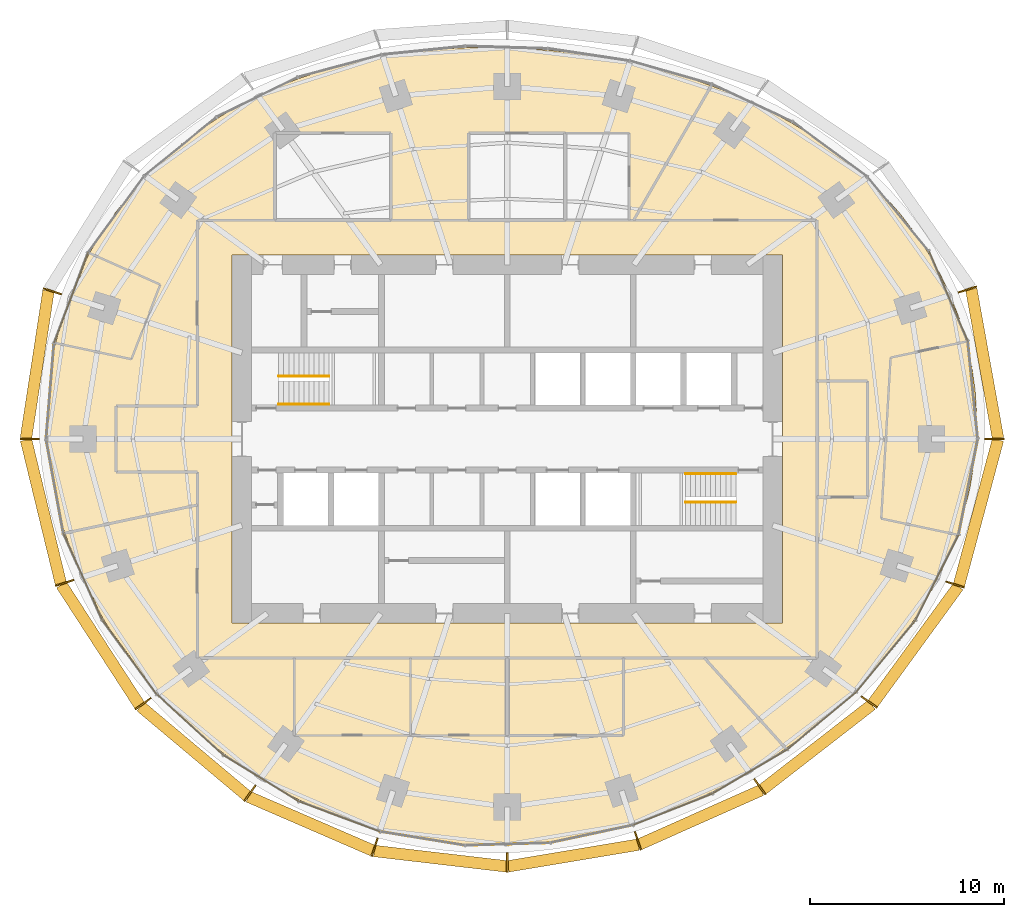
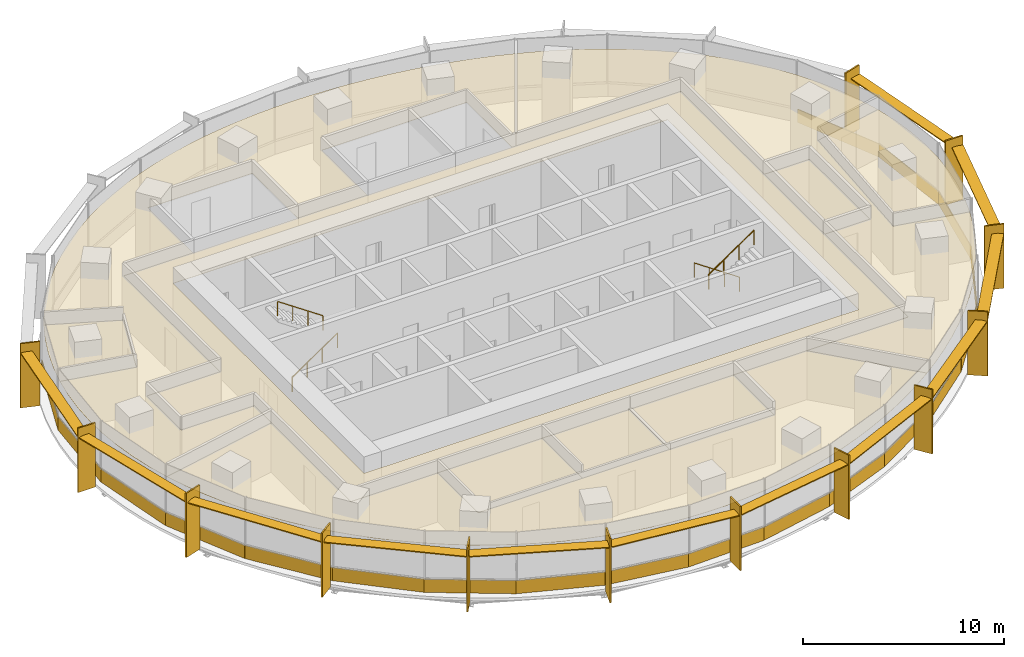
# One storey, part 13 of 14: 29 coverings, 25 shading devices, 4 railings.
"""IFC4 building model written with IfcOpenShell, lengths in metres."""

from ifc_helpers import new_model, si_unit, direction, frame, origin, origin_2d, place, context, subcontext, project, spatial, polyline, rectangle, circle, outline, extrude, material, layer, layer_set, type_object, element, save


model = new_model("IFC4")

# Units and contexts
model_context = context("Model", 3, precision=1e-05, world=origin(), true_north=direction((0.0, 1.0)))
body_context = subcontext(model_context, "Body", "Model", "MODEL_VIEW")
ifc_project = project(units=[si_unit("LENGTHUNIT", "METRE"), si_unit("AREAUNIT", "SQUARE_METRE"), si_unit("VOLUMEUNIT", "CUBIC_METRE"), si_unit("PLANEANGLEUNIT", "RADIAN"), si_unit("MASSUNIT", "GRAM", prefix="KILO")], contexts=[model_context])

# Site, building, storey
site_placement = place(None, origin())
site = spatial("IfcSite", under=ifc_project, at=site_placement, CompositionType="ELEMENT")
building_placement = place(site_placement, origin())
building = spatial("IfcBuilding", under=site, at=building_placement, Name="Marramba Exchange Tower", CompositionType="ELEMENT")
storey_placement = place(building_placement, frame((0.0, 0.0, 195.5)))
storey = spatial("IfcBuildingStorey", under=building, at=storey_placement, Name="L47", CompositionType="ELEMENT", Elevation=195.5)

# Shading devices
ifc_material_1 = material(Name="Aluminium blade, timber-look bronze finish", Category="wood")
ifc_layer_1 = layer(ifc_material_1, 0.080078125)
ifc_layer_set_1 = layer_set([ifc_layer_1], Name="Floor-edge blade 1000x80")
shading_device_type_1 = type_object("IfcShadingDeviceType", Name="Floor-edge blade 1000x80", PredefinedType="USERDEFINED", material=ifc_layer_set_1)
for number, where, z_axis, x_axis, name in (
    (1, (25.14404296875, 0.0, -0.159912109375), (0.0, 0.0, 1.0), (1.0, 0.0, 0.0), "Floor-edge blade FB1 L47 TC01"),
    (2, (23.757080078125, 7.718994140625, -0.159912109375), (0.0, 0.0, 1.0), (0.951056516295, 0.309016994375, 0.0), "Floor-edge blade FB1 L47 TC02"),
    (3, (-23.488525390625, 7.6318359375, -0.159912109375), (0.0, 0.0, 1.0), (-0.951056516295, 0.309016994375, 0.0), "Floor-edge blade FB1 L47 TC10"),
    (4, (-24.656005859375, 0.0, -0.159912109375), (0.0, 0.0, 1.0), (-1.0, 0.0, 0.0), "Floor-edge blade FB1 L47 TC11"),
    (5, (-22.848876953125, -7.424072265625, -0.159912109375), (0.0, 0.0, 1.0), (-0.951056516295, -0.309016994375, 0.0), "Floor-edge blade FB1 L47 TC12"),
    (6, (-18.7998046875, -13.658935546875, -0.159912109375), (0.0, 0.0, 1.0), (-0.809016994375, -0.587785252292, 0.0), "Floor-edge blade FB1 L47 TC13"),
    (7, (-13.2841796875, -18.2841796875, -0.159912109375), (0.0, 0.0, 1.0), (-0.587785252292, -0.809016994375, 0.0), "Floor-edge blade FB1 L47 TC14"),
    (8, (-6.845703125, -21.069091796875, -0.159912109375), (0.0, 0.0, 1.0), (-0.309016994375, -0.951056516295, 0.0), "Floor-edge blade FB1 L47 TC15"),
    (9, (0.0, -21.86376953125, -0.159912109375), (0.0, 0.0, 1.0), (0.0, -1.0, 0.0), "Floor-edge blade FB1 L47 TC16"),
    (10, (6.739501953125, -20.741943359375, -0.159912109375), (0.0, 0.0, 1.0), (0.309016994375, -0.951056516295, 0.0), "Floor-edge blade FB1 L47 TC17"),
    (11, (13.0380859375, -17.9453125, -0.159912109375), (0.0, 0.0, 1.0), (0.587785252292, -0.809016994375, 0.0), "Floor-edge blade FB1 L47 TC18"),
    (12, (18.6845703125, -13.5751953125, -0.159912109375), (0.0, 0.0, 1.0), (0.809016994375, -0.587785252292, 0.0), "Floor-edge blade FB1 L47 TC19"),
    (13, (23.1171875, -7.51123046875, -0.159912109375), (0.0, 0.0, 1.0), (0.951056516295, -0.309016994375, 0.0), "Floor-edge blade FB1 L47 TC20"),
):
    element("IfcShadingDevice", number, at=place(storey_placement, frame(where, z_axis=z_axis, x_axis=x_axis)), inside=storey, type_object=shading_device_type_1, Name=name, ObjectType="FIN", PredefinedType="USERDEFINED", context=body_context, shape_type="SweptSolid", body=[
        extrude(rectangle(XDim=1.0, YDim=0.080078125, at=origin_2d()), origin(), (0.0, 0.0, 1.0), 3.89990234375),
    ])
ifc_material_2 = material(Name="Aluminium sunshade, bronze anodised", Category="aluminium")
ifc_layer_2 = layer(ifc_material_2, 0.06005859375)
ifc_layer_set_2 = layer_set([ifc_layer_2], Name="SUNSHADE blade 600x60")
shading_device_type_2 = type_object("IfcShadingDeviceType", Name="SUNSHADE blade 600x60", PredefinedType="USERDEFINED", material=ifc_layer_set_2)
shading_device_1_placement = place(storey_placement, frame((24.6455078125, 3.890380859375, 3.159912109375), z_axis=(0.0, 0.0, 1.0), x_axis=(-0.176690623809, 0.984266439262, 0.0)))
element("IfcShadingDevice", 14, at=shading_device_1_placement, inside=storey, type_object=shading_device_type_2, Name="Sunshade SS1 L47 bay 01", ObjectType="SUNSHADE", PredefinedType="USERDEFINED", context=body_context, shape_type="SweptSolid", body=[
    extrude(rectangle(XDim=7.8251953125, YDim=0.60009765625, at=origin_2d()), origin(), (0.0, 0.0, 1.0), 0.06005859375),
])
shading_device_2_placement = place(storey_placement, frame((-24.267333984375, 3.846923828125, 3.159912109375), z_axis=(0.0, 0.0, 1.0), x_axis=(-0.151240669327, -0.988496970123, 0.0)))
element("IfcShadingDevice", 15, at=shading_device_2_placement, inside=storey, type_object=shading_device_type_2, Name="Sunshade SS1 L47 bay 10", ObjectType="SUNSHADE", PredefinedType="USERDEFINED", context=body_context, shape_type="SweptSolid", body=[
    extrude(rectangle(XDim=7.703369140625, YDim=0.60009765625, at=origin_2d()), origin(), (0.0, 0.0, 1.0), 0.06005859375),
])
shading_device_3_placement = place(storey_placement, frame((-23.947509765625, -3.742919921875, 3.159912109375), z_axis=(0.0, 0.0, 1.0), x_axis=(0.235861488454, -0.971786683519, 0.0)))
element("IfcShadingDevice", 16, at=shading_device_3_placement, inside=storey, type_object=shading_device_type_2, Name="Sunshade SS1 L47 bay 11", ObjectType="SUNSHADE", PredefinedType="USERDEFINED", context=body_context, shape_type="SweptSolid", body=[
    extrude(rectangle(XDim=7.623291015625, YDim=0.60009765625, at=origin_2d()), origin(), (0.0, 0.0, 1.0), 0.06005859375),
])
shading_device_4_placement = place(storey_placement, frame((-21.000244140625, -10.631103515625, 3.159912109375), z_axis=(0.0, 0.0, 1.0), x_axis=(0.543921771105, -0.839135928749, 0.0)))
element("IfcShadingDevice", 17, at=shading_device_4_placement, inside=storey, type_object=shading_device_type_2, Name="Sunshade SS1 L47 bay 12", ObjectType="SUNSHADE", PredefinedType="USERDEFINED", context=body_context, shape_type="SweptSolid", body=[
    extrude(rectangle(XDim=7.41650390625, YDim=0.60009765625, at=origin_2d()), origin(), (0.0, 0.0, 1.0), 0.06005859375),
])
shading_device_5_placement = place(storey_placement, frame((-16.181640625, -16.111083984375, 3.159912109375), z_axis=(0.0, 0.0, 1.0), x_axis=(0.765761970568, -0.643124097225, 0.0)))
element("IfcShadingDevice", 18, at=shading_device_5_placement, inside=storey, type_object=shading_device_type_2, Name="Sunshade SS1 L47 bay 13", ObjectType="SUNSHADE", PredefinedType="USERDEFINED", context=body_context, shape_type="SweptSolid", body=[
    extrude(rectangle(XDim=7.1806640625, YDim=0.60009765625, at=origin_2d()), origin(), (0.0, 0.0, 1.0), 0.06005859375),
])
shading_device_6_placement = place(storey_placement, frame((-10.154541015625, -19.8525390625, 3.159912109375), z_axis=(0.0, 0.0, 1.0), x_axis=(0.917589256742, -0.397529817639, 0.0)))
element("IfcShadingDevice", 19, at=shading_device_6_placement, inside=storey, type_object=shading_device_type_2, Name="Sunshade SS1 L47 bay 14", ObjectType="SUNSHADE", PredefinedType="USERDEFINED", context=body_context, shape_type="SweptSolid", body=[
    extrude(rectangle(XDim=6.997314453125, YDim=0.60009765625, at=origin_2d()), origin(), (0.0, 0.0, 1.0), 0.06005859375),
])
shading_device_7_placement = place(storey_placement, frame((-3.453857421875, -21.66162109375, 3.159912109375), z_axis=(0.0, 0.0, 1.0), x_axis=(0.993288257497, -0.1156651958, 0.0)))
element("IfcShadingDevice", 20, at=shading_device_7_placement, inside=storey, type_object=shading_device_type_2, Name="Sunshade SS1 L47 bay 15", ObjectType="SUNSHADE", PredefinedType="USERDEFINED", context=body_context, shape_type="SweptSolid", body=[
    extrude(rectangle(XDim=6.874267578125, YDim=0.60009765625, at=origin_2d()), origin(), (0.0, 0.0, 1.0), 0.06005859375),
])
shading_device_8_placement = place(storey_placement, frame((3.400634765625, -21.498046875, 3.159912109375), z_axis=(0.0, 0.0, 1.0), x_axis=(0.986439622954, 0.164124557168, 0.0)))
element("IfcShadingDevice", 21, at=shading_device_8_placement, inside=storey, type_object=shading_device_type_2, Name="Sunshade SS1 L47 bay 16", ObjectType="SUNSHADE", PredefinedType="USERDEFINED", context=body_context, shape_type="SweptSolid", body=[
    extrude(rectangle(XDim=6.814697265625, YDim=0.60009765625, at=origin_2d()), origin(), (0.0, 0.0, 1.0), 0.06005859375),
])
shading_device_9_placement = place(storey_placement, frame((9.978515625, -19.519775390625, 3.159912109375), z_axis=(0.0, 0.0, 1.0), x_axis=(0.913771678576, 0.406228161792, 0.0)))
element("IfcShadingDevice", 22, at=shading_device_9_placement, inside=storey, type_object=shading_device_type_2, Name="Sunshade SS1 L47 bay 17", ObjectType="SUNSHADE", PredefinedType="USERDEFINED", context=body_context, shape_type="SweptSolid", body=[
    extrude(rectangle(XDim=6.8740234375, YDim=0.60009765625, at=origin_2d()), origin(), (0.0, 0.0, 1.0), 0.06005859375),
])
shading_device_10_placement = place(storey_placement, frame((16.0009765625, -15.89990234375, 3.159912109375), z_axis=(0.0, 0.0, 1.0), x_axis=(0.790133082515, 0.612935324414, 0.0)))
element("IfcShadingDevice", 23, at=shading_device_10_placement, inside=storey, type_object=shading_device_type_2, Name="Sunshade SS1 L47 bay 18", ObjectType="SUNSHADE", PredefinedType="USERDEFINED", context=body_context, shape_type="SweptSolid", body=[
    extrude(rectangle(XDim=7.122314453125, YDim=0.60009765625, at=origin_2d()), origin(), (0.0, 0.0, 1.0), 0.06005859375),
])
shading_device_11_placement = place(storey_placement, frame((21.076904296875, -10.6328125, 3.159912109375), z_axis=(0.0, 0.0, 1.0), x_axis=(0.589071758439, 0.808080728275, 0.0)))
element("IfcShadingDevice", 24, at=shading_device_11_placement, inside=storey, type_object=shading_device_type_2, Name="Sunshade SS1 L47 bay 19", ObjectType="SUNSHADE", PredefinedType="USERDEFINED", context=body_context, shape_type="SweptSolid", body=[
    extrude(rectangle(XDim=7.4931640625, YDim=0.60009765625, at=origin_2d()), origin(), (0.0, 0.0, 1.0), 0.06005859375),
])
shading_device_12_placement = place(storey_placement, frame((24.32568359375, -3.78662109375, 3.159912109375), z_axis=(0.0, 0.0, 1.0), x_axis=(0.259692365654, 0.965691397508, 0.0)))
element("IfcShadingDevice", 25, at=shading_device_12_placement, inside=storey, type_object=shading_device_type_2, Name="Sunshade SS1 L47 bay 20", ObjectType="SUNSHADE", PredefinedType="USERDEFINED", context=body_context, shape_type="SweptSolid", body=[
    extrude(rectangle(XDim=7.76220703125, YDim=0.60009765625, at=origin_2d()), origin(), (0.0, 0.0, 1.0), 0.06005859375),
])

# Coverings
ifc_material_3 = material(Name="Aluminium spandrel panel, bronze anodised, insulated", Category="aluminium")
ifc_layer_3 = layer(ifc_material_3, 0.050048828125)
ifc_layer_set_3 = layer_set([ifc_layer_3], Name="Spandrel panel 800")
covering_type_1 = type_object("IfcCoveringType", Name="Spandrel panel 800", PredefinedType="CLADDING", material=ifc_layer_set_3)
covering_1_placement = place(storey_placement, frame((24.036376953125, 2.527099609375, 0.0), z_axis=(0.0, 0.0, 1.0), x_axis=(-0.101422478545, 0.994843445395, 0.0)))
element("IfcCovering", 26, at=covering_1_placement, inside=storey, type_object=covering_type_1, Name="Spandrel panel SP1 L47 F01", PredefinedType="CLADDING", context=body_context, shape_type="SweptSolid", body=[
    extrude(rectangle(XDim=5.08056640625, YDim=0.050048828125, at=origin_2d()), origin(), (0.0, 0.0, 1.0), 0.800048828125),
])
covering_2_placement = place(storey_placement, frame((22.77734375, 7.374755859375, 0.0), z_axis=(0.0, 0.0, 1.0), x_axis=(-0.396193349205, 0.918167103552, 0.0)))
element("IfcCovering", 27, at=covering_2_placement, inside=storey, type_object=covering_type_1, Name="Spandrel panel SP1 L47 F02", PredefinedType="CLADDING", context=body_context, shape_type="SweptSolid", body=[
    extrude(rectangle(XDim=5.0546875, YDim=0.050048828125, at=origin_2d()), origin(), (0.0, 0.0, 1.0), 0.800048828125),
])
covering_3_placement = place(storey_placement, frame((-22.518798828125, 7.30419921875, 0.0), z_axis=(0.0, 0.0, 1.0), x_axis=(-0.351951514464, -0.936018232443, 0.0)))
element("IfcCovering", 28, at=covering_3_placement, inside=storey, type_object=covering_type_1, Name="Spandrel panel SP1 L47 F14", PredefinedType="CLADDING", context=body_context, shape_type="SweptSolid", body=[
    extrude(rectangle(XDim=4.981689453125, YDim=0.050048828125, at=origin_2d()), origin(), (0.0, 0.0, 1.0), 0.800048828125),
])
covering_4_placement = place(storey_placement, frame((-23.600830078125, 2.486328125, 0.0), z_axis=(0.0, 0.0, 1.0), x_axis=(-0.082280881776, -0.996609179415, 0.0)))
element("IfcCovering", 29, at=covering_4_placement, inside=storey, type_object=covering_type_1, Name="Spandrel panel SP1 L47 F15", PredefinedType="CLADDING", context=body_context, shape_type="SweptSolid", body=[
    extrude(rectangle(XDim=4.98974609375, YDim=0.050048828125, at=origin_2d()), origin(), (0.0, 0.0, 1.0), 0.800048828125),
])
covering_5_placement = place(storey_placement, frame((-23.359619140625, -2.43505859375, 0.0), z_axis=(0.0, 0.0, 1.0), x_axis=(0.180327442841, -0.983606635479, 0.0)))
element("IfcCovering", 30, at=covering_5_placement, inside=storey, type_object=covering_type_1, Name="Spandrel panel SP1 L47 F16", PredefinedType="CLADDING", context=body_context, shape_type="SweptSolid", body=[
    extrude(rectangle(XDim=4.951416015625, YDim=0.050048828125, at=origin_2d()), origin(), (0.0, 0.0, 1.0), 0.800048828125),
])
covering_6_placement = place(storey_placement, frame((-21.920654296875, -7.093994140625, 0.0), z_axis=(0.0, 0.0, 1.0), x_axis=(0.407557582153, -0.913179509861, 0.0)))
element("IfcCovering", 31, at=covering_6_placement, inside=storey, type_object=covering_type_1, Name="Spandrel panel SP1 L47 F17", PredefinedType="CLADDING", context=body_context, shape_type="SweptSolid", body=[
    extrude(rectangle(XDim=4.870361328125, YDim=0.050048828125, at=origin_2d()), origin(), (0.0, 0.0, 1.0), 0.800048828125),
])
covering_7_placement = place(storey_placement, frame((-19.520263671875, -11.238525390625, 0.0), z_axis=(0.0, 0.0, 1.0), x_axis=(0.591223097085, -0.80650805915, 0.0)))
element("IfcCovering", 32, at=covering_7_placement, inside=storey, type_object=covering_type_1, Name="Spandrel panel SP1 L47 F18", PredefinedType="CLADDING", context=body_context, shape_type="SweptSolid", body=[
    extrude(rectangle(XDim=4.762939453125, YDim=0.050048828125, at=origin_2d()), origin(), (0.0, 0.0, 1.0), 0.800048828125),
])
covering_8_placement = place(storey_placement, frame((-16.396240234375, -14.73193359375, 0.0), z_axis=(0.0, 0.0, 1.0), x_axis=(0.737203259599, -0.67567103981, 0.0)))
element("IfcCovering", 33, at=covering_8_placement, inside=storey, type_object=covering_type_1, Name="Spandrel panel SP1 L47 F19", PredefinedType="CLADDING", context=body_context, shape_type="SweptSolid", body=[
    extrude(rectangle(XDim=4.65478515625, YDim=0.050048828125, at=origin_2d()), origin(), (0.0, 0.0, 1.0), 0.800048828125),
])
covering_9_placement = place(storey_placement, frame((-12.73583984375, -17.497802734375, 0.0), z_axis=(0.0, 0.0, 1.0), x_axis=(0.852301010692, -0.52305161043, 0.0)))
element("IfcCovering", 34, at=covering_9_placement, inside=storey, type_object=covering_type_1, Name="Spandrel panel SP1 L47 F20", PredefinedType="CLADDING", context=body_context, shape_type="SweptSolid", body=[
    extrude(rectangle(XDim=4.563232421875, YDim=0.050048828125, at=origin_2d()), origin(), (0.0, 0.0, 1.0), 0.800048828125),
])
covering_10_placement = place(storey_placement, frame((-8.687255859375, -19.47607421875, 0.0), z_axis=(0.0, 0.0, 1.0), x_axis=(0.936951581946, -0.349459200892, 0.0)))
element("IfcCovering", 35, at=covering_10_placement, inside=storey, type_object=covering_type_1, Name="Spandrel panel SP1 L47 F21", PredefinedType="CLADDING", context=body_context, shape_type="SweptSolid", body=[
    extrude(rectangle(XDim=4.491455078125, YDim=0.050048828125, at=origin_2d()), origin(), (0.0, 0.0, 1.0), 0.800048828125),
])
covering_11_placement = place(storey_placement, frame((-4.393798828125, -20.6181640625, 0.0), z_axis=(0.0, 0.0, 1.0), x_axis=(0.98693062179, -0.161145734582, 0.0)))
element("IfcCovering", 36, at=covering_11_placement, inside=storey, type_object=covering_type_1, Name="Spandrel panel SP1 L47 F22", PredefinedType="CLADDING", context=body_context, shape_type="SweptSolid", body=[
    extrude(rectangle(XDim=4.4365234375, YDim=0.050048828125, at=origin_2d()), origin(), (0.0, 0.0, 1.0), 0.800048828125),
])
covering_12_placement = place(storey_placement, frame((-0.0068359375, -20.9111328125, 0.0), z_axis=(0.0, 0.0, 1.0), x_axis=(0.99956791932, 0.02939344597, 0.0)))
element("IfcCovering", 37, at=covering_12_placement, inside=storey, type_object=covering_type_1, Name="Spandrel panel SP1 L47 F23", PredefinedType="CLADDING", context=body_context, shape_type="SweptSolid", body=[
    extrude(rectangle(XDim=4.3974609375, YDim=0.050048828125, at=origin_2d()), origin(), (0.0, 0.0, 1.0), 0.800048828125),
])
covering_13_placement = place(storey_placement, frame((4.333984375, -20.389892578125, 0.0), z_axis=(0.0, 0.0, 1.0), x_axis=(0.978058068956, 0.208332459664, 0.0)))
element("IfcCovering", 38, at=covering_13_placement, inside=storey, type_object=covering_type_1, Name="Spandrel panel SP1 L47 F24", PredefinedType="CLADDING", context=body_context, shape_type="SweptSolid", body=[
    extrude(rectangle(XDim=4.3818359375, YDim=0.050048828125, at=origin_2d()), origin(), (0.0, 0.0, 1.0), 0.800048828125),
])
covering_14_placement = place(storey_placement, frame((8.525390625, -19.124267578125, 0.0), z_axis=(0.0, 0.0, 1.0), x_axis=(0.93007301151, 0.367374731386, 0.0)))
element("IfcCovering", 39, at=covering_14_placement, inside=storey, type_object=covering_type_1, Name="Spandrel panel SP1 L47 F25", PredefinedType="CLADDING", context=body_context, shape_type="SweptSolid", body=[
    extrude(rectangle(XDim=4.405517578125, YDim=0.050048828125, at=origin_2d()), origin(), (0.0, 0.0, 1.0), 0.800048828125),
])
covering_15_placement = place(storey_placement, frame((12.50634765625, -17.175537109375, 0.0), z_axis=(0.0, 0.0, 1.0), x_axis=(0.861350829898, 0.508010578466, 0.0)))
element("IfcCovering", 40, at=covering_15_placement, inside=storey, type_object=covering_type_1, Name="Spandrel panel SP1 L47 F26", PredefinedType="CLADDING", context=body_context, shape_type="SweptSolid", body=[
    extrude(rectangle(XDim=4.486572265625, YDim=0.050048828125, at=origin_2d()), origin(), (0.0, 0.0, 1.0), 0.800048828125),
])
covering_16_placement = place(storey_placement, frame((16.2177734375, -14.5556640625, 0.0), z_axis=(0.0, 0.0, 1.0), x_axis=(0.768736803132, 0.639565264465, 0.0)))
element("IfcCovering", 41, at=covering_16_placement, inside=storey, type_object=covering_type_1, Name="Spandrel panel SP1 L47 F27", PredefinedType="CLADDING", context=body_context, shape_type="SweptSolid", body=[
    extrude(rectangle(XDim=4.628662109375, YDim=0.050048828125, at=origin_2d()), origin(), (0.0, 0.0, 1.0), 0.800048828125),
])
covering_17_placement = place(storey_placement, frame((19.529541015625, -11.2265625, 0.0), z_axis=(0.0, 0.0, 1.0), x_axis=(0.638149992226, 0.769912064733, 0.0)))
element("IfcCovering", 42, at=covering_17_placement, inside=storey, type_object=covering_type_1, Name="Spandrel panel SP1 L47 F28", PredefinedType="CLADDING", context=body_context, shape_type="SweptSolid", body=[
    extrude(rectangle(XDim=4.80322265625, YDim=0.050048828125, at=origin_2d()), origin(), (0.0, 0.0, 1.0), 0.800048828125),
])
covering_18_placement = place(storey_placement, frame((22.17919921875, -7.16455078125, 0.0), z_axis=(0.0, 0.0, 1.0), x_axis=(0.450673091404, 0.892689063832, 0.0)))
element("IfcCovering", 43, at=covering_18_placement, inside=storey, type_object=covering_type_1, Name="Spandrel panel SP1 L47 F29", PredefinedType="CLADDING", context=body_context, shape_type="SweptSolid", body=[
    extrude(rectangle(XDim=4.957763671875, YDim=0.050048828125, at=origin_2d()), origin(), (0.0, 0.0, 1.0), 0.800048828125),
])
covering_19_placement = place(storey_placement, frame((23.795166015625, -2.475830078125, 0.0), z_axis=(0.0, 0.0, 1.0), x_axis=(0.197495401381, 0.980303813332, 0.0)))
element("IfcCovering", 44, at=covering_19_placement, inside=storey, type_object=covering_type_1, Name="Spandrel panel SP1 L47 F30", PredefinedType="CLADDING", context=body_context, shape_type="SweptSolid", body=[
    extrude(rectangle(XDim=5.05126953125, YDim=0.050048828125, at=origin_2d()), origin(), (0.0, 0.0, 1.0), 0.800048828125),
])

# Railings
ifc_material_4 = material(Name="Stainless steel handrail", Category="steel")
railing_type = type_object("IfcRailingType", Name="Stair handrail 900", PredefinedType="HANDRAIL", material=ifc_material_4)
railing_1_placement = place(storey_placement, frame((-11.800048828125, 1.800048828125, 0.17724609375)))
element("IfcRailing", 45, at=railing_1_placement, inside=storey, type_object=railing_type, Name="Handrail HR1 ST1 L47 flight 1", PredefinedType="HANDRAIL", context=body_context, shape_type="SweptSolid", body=[
    extrude(circle(Radius=0.02392578125, at=origin_2d()), frame((0.0, 0.0, 0.8759765625), z_axis=(0.826240473404, 0.0, 0.563317565952), x_axis=(0.0, 1.0, 0.0)), (0.0, 0.0, 1.0), 3.14697265625),
    extrude(circle(Radius=0.02099609375, at=origin_2d()), origin(), (0.0, 0.0, 1.0), 0.851806640625),
    extrude(circle(Radius=0.02099609375, at=origin_2d()), frame((0.86669921875, 0.0, 0.5908203125)), (0.0, 0.0, 1.0), 0.851806640625),
    extrude(circle(Radius=0.02099609375, at=origin_2d()), frame((1.7333984375, 0.0, 1.181884765625)), (0.0, 0.0, 1.0), 0.851806640625),
    extrude(circle(Radius=0.02099609375, at=origin_2d()), frame((2.60009765625, 0.0, 1.772705078125)), (0.0, 0.0, 1.0), 0.851806640625),
])
for number, where, name in (
    (46, (-9.199951171875, 3.25, 2.127197265625), "Handrail HR1 ST1 L47 flight 2"),
    (47, (11.800048828125, -1.800048828125, 0.17724609375), "Handrail HR1 ST2 L47 flight 1"),
):
    element("IfcRailing", number, at=place(storey_placement, frame(where)), inside=storey, type_object=railing_type, Name=name, PredefinedType="HANDRAIL", context=body_context, shape_type="SweptSolid", body=[
        extrude(circle(Radius=0.02392578125, at=origin_2d()), frame((0.0, 0.0, 0.8759765625), z_axis=(-0.826240473404, 0.0, 0.563317565952), x_axis=(0.0, -1.0, 0.0)), (0.0, 0.0, 1.0), 3.14697265625),
        extrude(circle(Radius=0.02099609375, at=origin_2d()), origin(), (0.0, 0.0, 1.0), 0.851806640625),
        extrude(circle(Radius=0.02099609375, at=origin_2d()), frame((-0.86669921875, 0.0, 0.5908203125)), (0.0, 0.0, 1.0), 0.851806640625),
        extrude(circle(Radius=0.02099609375, at=origin_2d()), frame((-1.7333984375, 0.0, 1.181884765625)), (0.0, 0.0, 1.0), 0.851806640625),
        extrude(circle(Radius=0.02099609375, at=origin_2d()), frame((-2.60009765625, 0.0, 1.772705078125)), (0.0, 0.0, 1.0), 0.851806640625),
    ])
railing_2_placement = place(storey_placement, frame((9.199951171875, -3.25, 2.127197265625)))
element("IfcRailing", 48, at=railing_2_placement, inside=storey, type_object=railing_type, Name="Handrail HR1 ST2 L47 flight 2", PredefinedType="HANDRAIL", context=body_context, shape_type="SweptSolid", body=[
    extrude(circle(Radius=0.02392578125, at=origin_2d()), frame((0.0, 0.0, 0.8759765625), z_axis=(0.826240473404, 0.0, 0.563317565952), x_axis=(0.0, 1.0, 0.0)), (0.0, 0.0, 1.0), 3.14697265625),
    extrude(circle(Radius=0.02099609375, at=origin_2d()), origin(), (0.0, 0.0, 1.0), 0.851806640625),
    extrude(circle(Radius=0.02099609375, at=origin_2d()), frame((0.86669921875, 0.0, 0.5908203125)), (0.0, 0.0, 1.0), 0.851806640625),
    extrude(circle(Radius=0.02099609375, at=origin_2d()), frame((1.7333984375, 0.0, 1.181884765625)), (0.0, 0.0, 1.0), 0.851806640625),
    extrude(circle(Radius=0.02099609375, at=origin_2d()), frame((2.60009765625, 0.0, 1.772705078125)), (0.0, 0.0, 1.0), 0.851806640625),
])

# Coverings
ifc_material_5 = material(Name="Mineral fibre ceiling tiles", Category="gypsum")
ifc_layer_4 = layer(ifc_material_5, 0.02001953125)
ifc_layer_set_4 = layer_set([ifc_layer_4], Name="Suspended ceiling 20")
covering_type_2 = type_object("IfcCoveringType", Name="Suspended ceiling 20", PredefinedType="CEILING", material=ifc_layer_set_4)
covering_20_placement = place(storey_placement, frame((0.0, 0.0, 2.89990234375)))
element("IfcCovering", 49, at=covering_20_placement, inside=storey, type_object=covering_type_2, Name="Ceiling CL1 L47 Office 1", PredefinedType="CEILING", context=body_context, shape_type="SweptSolid", body=[
    extrude(outline(polyline([(16.0, -3.0), (18.60009765625, -3.0), (18.60009765625, 3.0), (16.0, 3.0), (16.0, 11.300048828125), (6.524169921875, 11.300048828125), (10.5341796875, 18.245849609375), (11.584716796875, 17.839111328125), (12.6298828125, 17.383544921875), (13.666259765625, 16.87646484375), (14.689453125, 16.314453125), (15.695068359375, 15.695068359375), (16.67724609375, 15.016357421875), (17.6298828125, 14.276611328125), (18.54638671875, 13.474853515625), (19.41943359375, 12.611083984375), (20.24169921875, 11.6865234375), (21.00537109375, 10.70263671875), (21.702880859375, 9.662841796875), (22.32763671875, 8.57080078125), (22.87255859375, 7.431640625), (23.331787109375, 6.251708984375), (23.700439453125, 5.03759765625), (19.787841796875, 4.2060546875), (19.3056640625, -4.103515625), (23.218017578125, -4.935302734375), (22.760986328125, -6.098876953125), (22.23291015625, -7.223876953125), (21.639892578125, -8.306884765625), (20.989013671875, -9.344970703125), (20.286865234375, -10.336669921875), (19.539794921875, -11.28125), (18.753173828125, -12.178466796875), (17.93212890625, -13.028564453125), (17.08154296875, -13.832275390625), (16.204833984375, -14.5908203125), (15.30517578125, -15.30517578125), (14.38525390625, -15.976318359375), (10.174560546875, -11.300048828125), (16.0, -11.300048828125), (16.0, -3.0)])), origin(), (0.0, 0.0, 1.0), 0.02001953125),
])
covering_21_placement = place(storey_placement, frame((0.0, 0.0, 2.89990234375)))
element("IfcCovering", 50, at=covering_21_placement, inside=storey, type_object=covering_type_2, Name="Ceiling CL1 L47 Office 2", PredefinedType="CEILING", context=body_context, shape_type="SweptSolid", body=[
    extrude(outline(polyline([(-16.0, 1.699951171875), (-20.199951171875, 1.699951171875), (-20.199951171875, -1.699951171875), (-16.0, -1.699951171875), (-16.0, -3.40087890625), (-22.8349609375, -4.853759765625), (-23.169921875, -3.669677734375), (-23.432373046875, -2.462890625), (-23.618896484375, -1.23779296875), (-23.72607421875, 0.0), (-23.7509765625, 1.24462890625), (-23.691650390625, 2.489990234375), (-23.547119140625, 3.7294921875), (-23.317138671875, 4.956298828125), (-19.404541015625, 4.12451171875), (-17.914794921875, 7.976318359375), (-21.569091796875, 9.603271484375), (-20.939697265625, 10.669189453125), (-20.24169921875, 11.6865234375), (-19.48046875, 12.650634765625), (-18.66162109375, 13.55859375), (-17.79150390625, 14.4072265625), (-16.87548828125, 15.19482421875), (-15.920166015625, 15.920166015625), (-14.931396484375, 16.5830078125), (-13.914794921875, 17.183349609375), (-12.8759765625, 17.722412109375), (-11.820068359375, 18.201171875), (-10.75146484375, 18.621826171875), (-9.67431640625, 18.98681640625), (-8.59228515625, 19.29833984375), (-7.50830078125, 19.559326171875), (-6.424560546875, 19.77294921875), (-5.34326171875, 19.941650390625), (-4.265625, 20.068603515625), (-3.1923828125, 20.15625), (-2.123779296875, 20.20703125), (-1.059814453125, 20.22314453125), (0.0, 20.206298828125), (1.056396484375, 20.15771484375), (2.1103515625, 20.077880859375), (3.16259765625, 19.96728515625), (4.214111328125, 19.82568359375), (5.265869140625, 19.65234375), (6.318359375, 19.445556640625), (7.371826171875, 19.2041015625), (8.426025390625, 18.92529296875), (9.480712890625, 18.60693359375), (10.5341796875, 18.245849609375), (9.35205078125, 16.197998046875), (6.524169921875, 11.300048828125), (6.300048828125, 11.300048828125), (6.300048828125, 15.800048828125), (3.0, 15.800048828125), (-2.0, 15.800048828125), (-2.0, 11.300048828125), (-6.0, 11.300048828125), (-6.0, 15.800048828125), (-12.0, 15.800048828125), (-12.0, 11.300048828125), (-16.0, 11.300048828125), (-16.0, 1.699951171875)])), origin(), (0.0, 0.0, 1.0), 0.02001953125),
])
covering_22_placement = place(storey_placement, frame((0.0, 0.0, 2.89990234375)))
element("IfcCovering", 51, at=covering_22_placement, inside=storey, type_object=covering_type_2, Name="Ceiling CL1 L47 Office 3", PredefinedType="CEILING", context=body_context, shape_type="SweptSolid", body=[
    extrude(outline(polyline([(-11.0, -11.300048828125), (-11.0, -15.300048828125), (-5.0, -15.300048828125), (0.0, -15.300048828125), (6.0, -15.300048828125), (6.0, -11.300048828125), (10.174560546875, -11.300048828125), (13.09375, -14.5419921875), (14.38525390625, -15.976318359375), (13.44677734375, -16.60546875), (12.491455078125, -17.193115234375), (11.520263671875, -17.73974609375), (10.5341796875, -18.245849609375), (9.53369140625, -18.711181640625), (8.51953125, -19.13525390625), (7.4921875, -19.517578125), (6.4521484375, -19.857421875), (5.400146484375, -20.153564453125), (4.337158203125, -20.404541015625), (3.26416015625, -20.609619140625), (2.1826171875, -20.766845703125), (1.093994140625, -20.875244140625), (0.0, -20.93359375), (-1.097412109375, -20.94091796875), (-2.1962890625, -20.89599609375), (-3.294189453125, -20.79833984375), (-4.388916015625, -20.6474609375), (-5.477783203125, -20.44287109375), (-6.558349609375, -20.184814453125), (-7.62841796875, -19.873046875), (-8.685546875, -19.50830078125), (-9.727294921875, -19.091064453125), (-10.75146484375, -18.621826171875), (-11.755615234375, -18.101806640625), (-12.737548828125, -17.53173828125), (-13.6953125, -16.912353515625), (-14.626953125, -16.2451171875), (-15.5302734375, -15.5302734375), (-16.403076171875, -14.769287109375), (-17.242919921875, -13.962890625), (-18.04736328125, -13.1123046875), (-18.81396484375, -12.218017578125), (-19.539794921875, -11.28125), (-20.22119140625, -10.30322265625), (-20.85498046875, -9.285400390625), (-21.4375, -8.22900390625), (-21.96435546875, -7.13671875), (-22.431640625, -6.010498046875), (-22.8349609375, -4.853759765625), (-16.0, -3.40087890625), (-16.0, -11.300048828125), (-11.0, -11.300048828125)])), origin(), (0.0, 0.0, 1.0), 0.02001953125),
])
covering_23_placement = place(storey_placement, frame((0.0, 0.0, 2.89990234375)))
element("IfcCovering", 52, at=covering_23_placement, inside=storey, type_object=covering_type_2, Name="Ceiling CL1 L47 Corridor", PredefinedType="CEILING", context=body_context, shape_type="SweptSolid", body=[
    extrude(outline(polyline([(-16.0, 11.300048828125), (16.0, 11.300048828125), (16.0, -11.300048828125), (-16.0, -11.300048828125), (-16.0, -1.699951171875), (-20.199951171875, -1.699951171875), (-20.199951171875, 1.699951171875), (-16.0, 1.699951171875), (-16.0, 11.300048828125)]), holes=[polyline([(14.199951171875, 9.5), (-14.199951171875, 9.5), (-14.199951171875, 1.699951171875), (-14.199951171875, -1.699951171875), (-14.199951171875, -9.5), (14.199951171875, -9.5), (14.199951171875, 9.5)])]), origin(), (0.0, 0.0, 1.0), 0.02001953125),
])
covering_24_placement = place(storey_placement, frame((0.0, 0.0, 2.89990234375)))
element("IfcCovering", 53, at=covering_24_placement, inside=storey, type_object=covering_type_2, Name="Ceiling CL1 L47 Office", PredefinedType="CEILING", context=body_context, shape_type="SweptSolid", body=[
    extrude(outline(polyline([(23.80322265625, 4.5732421875), (23.974853515625, 3.797119140625), (24.15234375, 2.53857421875), (24.23193359375, 1.27001953125), (24.214111328125, 0.0), (24.10009765625, -1.262939453125), (23.89306640625, -2.51123046875), (23.800048828125, -2.897705078125), (23.597412109375, -3.737548828125), (23.35009765625, -4.518310546875), (23.218017578125, -4.935302734375), (19.3056640625, -4.103515625), (19.787841796875, 4.2060546875), (23.700439453125, 5.03759765625), (23.80322265625, 4.5732421875)])), origin(), (0.0, 0.0, 1.0), 0.02001953125),
])
covering_25_placement = place(storey_placement, frame((0.0, 0.0, 2.89990234375)))
element("IfcCovering", 54, at=covering_25_placement, inside=storey, type_object=covering_type_2, Name="Ceiling CL1 L47 Focus Room", PredefinedType="CEILING", context=body_context, shape_type="SweptSolid", body=[
    extrude(outline(polyline([(-23.1357421875, 5.652099609375), (-23.002197265625, 6.163330078125), (-22.889404296875, 6.49853515625), (-22.604248046875, 7.344482421875), (-22.213623046875, 8.281005859375), (-22.125244140625, 8.4931640625), (-22.05029296875, 8.642822265625), (-21.569091796875, 9.603271484375), (-17.914794921875, 7.976318359375), (-19.404541015625, 4.12451171875), (-23.317138671875, 4.956298828125), (-23.1357421875, 5.652099609375)])), origin(), (0.0, 0.0, 1.0), 0.02001953125),
])
covering_26_placement = place(storey_placement, frame((0.0, 0.0, 2.89990234375)))
element("IfcCovering", 55, at=covering_26_placement, inside=storey, type_object=covering_type_2, Name="Ceiling CL1 L47 Meeting Room 1", PredefinedType="CEILING", context=body_context, shape_type="SweptSolid", body=[
    extrude(outline(polyline([(18.60009765625, -3.0), (16.0, -3.0), (16.0, 3.0), (18.60009765625, 3.0), (18.60009765625, -3.0)])), origin(), (0.0, 0.0, 1.0), 0.02001953125),
])
covering_27_placement = place(storey_placement, frame((0.0, 0.0, 2.89990234375)))
element("IfcCovering", 56, at=covering_27_placement, inside=storey, type_object=covering_type_2, Name="Ceiling CL1 L47 Pantry 2", PredefinedType="CEILING", context=body_context, shape_type="SweptSolid", body=[
    extrude(outline(polyline([(-5.0, -15.300048828125), (-11.0, -15.300048828125), (-11.0, -11.300048828125), (-5.0, -11.300048828125), (-5.0, -15.300048828125)])), origin(), (0.0, 0.0, 1.0), 0.02001953125),
])
covering_28_placement = place(storey_placement, frame((0.0, 0.0, 2.89990234375)))
element("IfcCovering", 57, at=covering_28_placement, inside=storey, type_object=covering_type_2, Name="Ceiling CL1 L47 Meeting Room 4", PredefinedType="CEILING", context=body_context, shape_type="SweptSolid", body=[
    extrude(outline(polyline([(6.0, -15.300048828125), (0.0, -15.300048828125), (0.0, -11.300048828125), (6.0, -11.300048828125), (6.0, -15.300048828125)])), origin(), (0.0, 0.0, 1.0), 0.02001953125),
])
covering_29_placement = place(storey_placement, frame((0.0, 0.0, 2.89990234375)))
element("IfcCovering", 58, at=covering_29_placement, inside=storey, type_object=covering_type_2, Name="Ceiling CL1 L47 Print Room", PredefinedType="CEILING", context=body_context, shape_type="SweptSolid", body=[
    extrude(outline(polyline([(0.0, -15.300048828125), (-5.0, -15.300048828125), (-5.0, -11.300048828125), (0.0, -11.300048828125), (0.0, -15.300048828125)])), origin(), (0.0, 0.0, 1.0), 0.02001953125),
])

save(model, "model.ifc")
